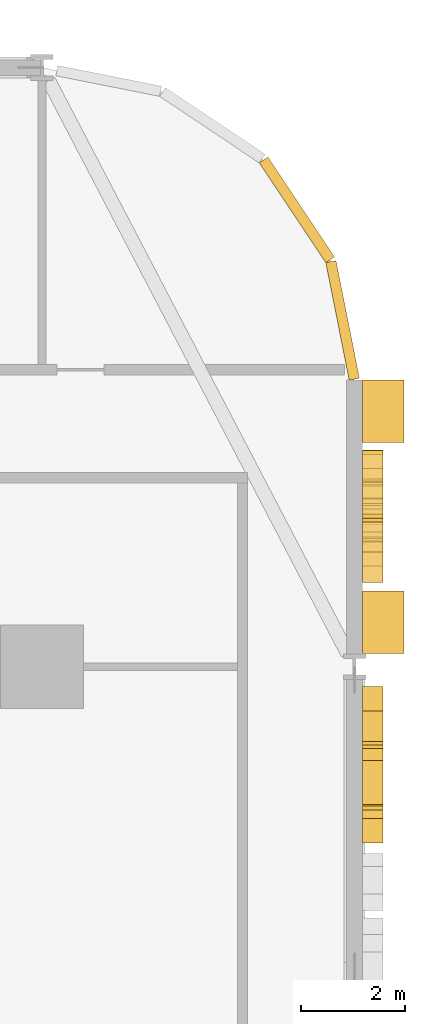
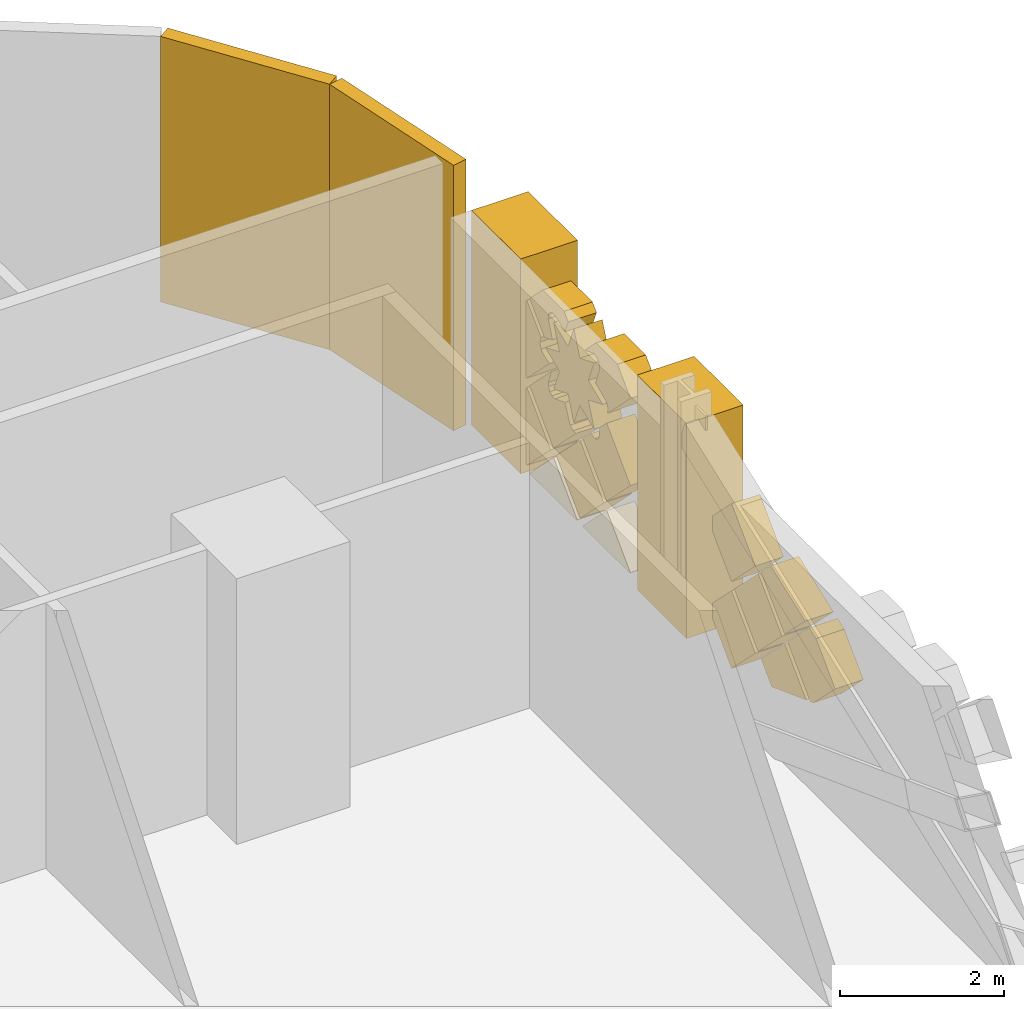
# One storey, part 28 of 28: 20 coverings.
"""IFC4 building model written with IfcOpenShell, lengths in metres."""

from ifc_helpers import new_model, si_unit, direction, frame, origin, origin_2d, place, context, subcontext, project, spatial, polyline, rectangle, outline, extrude, material, layer, layer_set, type_object, element, save


model = new_model("IFC4")

# Units and contexts
model_context = context("Model", 3, precision=1e-05, world=origin(), true_north=direction((0.0, 1.0)))
body_context = subcontext(model_context, "Body", "Model", "MODEL_VIEW")
ifc_project = project(units=[si_unit("LENGTHUNIT", "METRE"), si_unit("AREAUNIT", "SQUARE_METRE"), si_unit("VOLUMEUNIT", "CUBIC_METRE"), si_unit("PLANEANGLEUNIT", "RADIAN"), si_unit("MASSUNIT", "GRAM", prefix="KILO")], contexts=[model_context])

# Site, building, storey
site_placement = place(None, origin())
site = spatial("IfcSite", under=ifc_project, at=site_placement, CompositionType="ELEMENT")
building_placement = place(site_placement, origin())
building = spatial("IfcBuilding", under=site, at=building_placement, Name="Mahtab Terrace Research Tower", CompositionType="ELEMENT")
storey_placement = place(building_placement, frame((0.0, 0.0, 33.0)))
storey = spatial("IfcBuildingStorey", under=building, at=storey_placement, Name="L07", CompositionType="ELEMENT", Elevation=33.0)

# Coverings
ifc_material_1 = material(Name="Black aluminium cladding panel", Category="aluminium")
ifc_layer_1 = layer(ifc_material_1, 0.199951171875)
ifc_layer_set_1 = layer_set([ifc_layer_1], Name="Black metal corner cladding 200")
covering_type_1 = type_object("IfcCoveringType", Name="Black metal corner cladding 200", PredefinedType="CLADDING", material=ifc_layer_set_1)
for number, where, z_axis, x_axis, name in (
    (1, (46.89306640625, 20.26953125, 0.0), (0.0, 0.0, 1.0), (-0.555291490808, 0.831655794326, 0.0), "Corner cladding L07 0"),
    (2, (47.771484375, 18.14794921875, 0.0), (0.0, 0.0, 1.0), (-0.195212442692, 0.980760981187, 0.0), "Corner cladding L07 37"),
):
    element("IfcCovering", number, at=place(storey_placement, frame(where, z_axis=z_axis, x_axis=x_axis)), inside=storey, type_object=covering_type_1, Name=name, PredefinedType="CLADDING", context=body_context, shape_type="SweptSolid", body=[
        extrude(rectangle(XDim=2.30126953125, YDim=0.199951171875, at=origin_2d()), origin(), (0.0, 0.0, 1.0), 3.9599609375),
    ])
ifc_material_2 = material(Name="Bronze anodised aluminium", Category="aluminium")
ifc_layer_2 = layer(ifc_material_2, 0.39990234375)
ifc_layer_set_2 = layer_set([ifc_layer_2], Name="Mashrabiya relief panel 400")
covering_type_2 = type_object("IfcCoveringType", Name="Mashrabiya relief panel 400", PredefinedType="CLADDING", material=ifc_layer_set_2)
covering_1_placement = place(storey_placement, frame((48.14990234375, 8.118896484375, 1.449951171875), z_axis=(-1.0, 0.0, 0.0), x_axis=(0.0, 0.707106781187, 0.707106781187)))
element("IfcCovering", 3, at=covering_1_placement, inside=storey, type_object=covering_type_2, Name="Mashrabiya lattice cell L07 E35.11", PredefinedType="CLADDING", context=body_context, shape_type="SweptSolid", body=[
    extrude(outline(polyline([(0.0, 0.0), (0.6618768064133846, 0.0), (0.8203543516109556, 0.07216079944725995), (0.8203543516109556, 0.8203543516109556), (0.034008797825622494, 0.820181718119455), (0.0001726334915006511, 0.745258782808185), (0.0, 0.0)])), origin(), (0.0, 0.0, -1.0), 0.39990234375),
])
covering_2_placement = place(storey_placement, frame((48.14990234375, 9.34912109375, 1.3798828125), z_axis=(-1.0, 0.0, 0.0), x_axis=(0.0, 0.707106781187, -0.707106781187)))
element("IfcCovering", 4, at=covering_2_placement, inside=storey, type_object=covering_type_2, Name="Mashrabiya lattice cell L07 E35.12", PredefinedType="CLADDING", context=body_context, shape_type="SweptSolid", body=[
    extrude(outline(polyline([(0.0, 0.0), (0.8200090846279543, 0.0), (0.8200090846279543, 0.3663282689643198), (-0.0001726334915005956, 0.7411155790121702), (0.0, 0.0)])), origin(), (0.0, 0.0, -1.0), 0.39990234375),
])
covering_3_placement = place(storey_placement, frame((48.14990234375, 9.928955078125, 2.10009765625), z_axis=(-1.0, 0.0, 0.0), x_axis=(0.0, -0.706957932274, -0.707255598772)))
element("IfcCovering", 5, at=covering_3_placement, inside=storey, type_object=covering_type_2, Name="Mashrabiya lattice cell L07 E35.13", PredefinedType="CLADDING", context=body_context, shape_type="SweptSolid", body=[
    extrude(outline(polyline([(0.0, 0.0), (0.8201817362875763, 0.0), (0.8200337751084942, 0.70296356181895), (-6.932955051291989e-05, 0.3293846944868754), (0.0, 0.0)])), origin(), (0.0, 0.0, -1.0), 0.39990234375),
])
covering_4_placement = place(storey_placement, frame((48.14990234375, 9.9990234375, 2.030029296875), z_axis=(-1.0, 0.0, 0.0), x_axis=(0.0, 0.707106781187, -0.707106781187)))
element("IfcCovering", 6, at=covering_4_placement, inside=storey, type_object=covering_type_2, Name="Mashrabiya lattice cell L07 E35.14", PredefinedType="CLADDING", context=body_context, shape_type="SweptSolid", body=[
    extrude(outline(polyline([(0.0, 0.0), (0.8203543516109556, 0.0), (0.820181718119455, 0.820181718119455), (0.0, 0.8203543516109556), (0.0, 0.0)])), origin(), (0.0, 0.0, -1.0), 0.39990234375),
])
covering_5_placement = place(storey_placement, frame((48.14990234375, 10.64892578125, 0.219970703125), z_axis=(-1.0, 0.0, 0.0), x_axis=(0.0, -0.706957932274, 0.707255598772)))
element("IfcCovering", 7, at=covering_5_placement, inside=storey, type_object=covering_type_2, Name="Mashrabiya lattice cell L07 E35.15", PredefinedType="CLADDING", context=body_context, shape_type="SweptSolid", body=[
    extrude(outline(polyline([(0.0, 0.0), (0.8201817362875763, 0.0), (0.8203543334390104, 0.8200090664636573), (0.16003127941241302, 0.8203206860785415), (0.00013902246344993374, 0.6604957238505165), (0.0, 0.0)])), origin(), (0.0, 0.0, -1.0), 0.39990234375),
])
covering_6_placement = place(storey_placement, frame((48.14990234375, 10.64892578125, 1.52001953125), z_axis=(-1.0, 0.0, 0.0), x_axis=(0.0, -0.706957932274, 0.707255598772)))
element("IfcCovering", 8, at=covering_6_placement, inside=storey, type_object=covering_type_2, Name="Mashrabiya lattice cell L07 E35.16", PredefinedType="CLADDING", context=body_context, shape_type="SweptSolid", body=[
    extrude(outline(polyline([(0.0, 0.0), (0.8201817362875763, 0.0), (0.8203543334390104, 0.8200090664636573), (0.15985860958849407, 0.8201480889271073), (0.00013902246344993374, 0.6604957238505165), (0.0, 0.0)])), origin(), (0.0, 0.0, -1.0), 0.39990234375),
])
covering_7_placement = place(storey_placement, frame((48.14990234375, 14.64404296875, 2.60107421875), z_axis=(-1.0, 0.0, 0.0), x_axis=(0.0, 0.924691461768, 0.380717349925)))
element("IfcCovering", 9, at=covering_7_placement, inside=storey, type_object=covering_type_2, Name="Girih star panel L07 E36.1", PredefinedType="CLADDING", context=body_context, shape_type="SweptSolid", body=[
    extrude(outline(polyline([(0.0, 0.0), (0.3783462161056796, 2.7755575615628914e-17), (0.11208841562376498, 0.2689856047531158), (0.3794805037610448, 0.5359074361332754), (0.001665512373961231, 0.5371822494259442), (0.00134680905079404, 0.9156612717112728), (-0.26732009237915455, 0.6492706650497092), (-0.5342419237593141, 0.9166627531869891), (-0.535516737051983, 0.5388477617999055), (-0.9140887079090707, 0.5387548132281463), (-0.647605152675748, 0.2698621570467897), (-0.9149972408130278, 0.0029403256666300503), (-0.5371822494259442, 0.001665512373961231), (-0.537089300854185, -0.3769064584831264), (-0.26819664467282844, -0.11042290324980375), (-0.0012748132926687916, -0.3778149913870835), (0.0, 0.0)])), origin(), (0.0, 0.0, -1.0), 0.39990234375),
])
covering_8_placement = place(storey_placement, frame((48.14990234375, 13.118896484375, 0.14990234375), z_axis=(-1.0, 0.0, 0.0), x_axis=(0.0, 0.707106781187, 0.707106781187)))
element("IfcCovering", 10, at=covering_8_placement, inside=storey, type_object=covering_type_2, Name="Mashrabiya lattice cell L07 E36.2", PredefinedType="CLADDING", context=body_context, shape_type="SweptSolid", body=[
    extrude(outline(polyline([(0.0, 0.0), (0.8203543516109556, 0.0), (0.8203543516109556, 0.8203543516109556), (0.7991204321563791, 0.820181718119455), (0.00017263349150062335, 0.021233919454576502), (0.0, 0.0)])), origin(), (0.0, 0.0, -1.0), 0.39990234375),
])
covering_9_placement = place(storey_placement, frame((48.14990234375, 14.279052734375, 1.449951171875), z_axis=(-1.0, 0.0, 0.0), x_axis=(0.0, -0.707255598772, -0.706957932274)))
element("IfcCovering", 11, at=covering_9_placement, inside=storey, type_object=covering_type_2, Name="Mashrabiya lattice cell L07 E36.3", PredefinedType="CLADDING", context=body_context, shape_type="SweptSolid", body=[
    extrude(outline(polyline([(0.0, 0.0), (0.8201817362875763, 0.0), (0.8205270032629295, 0.8201816636150915), (0.00017266982391900276, 0.8203543334390104), (0.00011518588843079103, 0.5472481559346933), (0.08417653916049625, 0.4942319794679374), (0.11402400074357985, 0.4080815829473978), (0.08206910977336403, 0.3240157966537586), (5.7483935488156224e-05, 0.27310617750431704), (0.0, 0.0)])), origin(), (0.0, 0.0, -1.0), 0.39990234375),
])
covering_10_placement = place(storey_placement, frame((48.14990234375, 13.118896484375, 2.75), z_axis=(-1.0, 0.0, 0.0), x_axis=(0.0, 0.707106781187, 0.707106781187)))
element("IfcCovering", 12, at=covering_10_placement, inside=storey, type_object=covering_type_2, Name="Mashrabiya lattice cell L07 E36.4", PredefinedType="CLADDING", context=body_context, shape_type="SweptSolid", body=[
    extrude(outline(polyline([(0.0, 0.0), (0.44988287885062084, 0.0), (0.8203543516109556, 0.37047147276033476), (0.8203543516109555, 0.7537178238917155), (0.7276501666751215, 0.5453491996504648), (0.6755148522419337, 0.5056434966053217), (0.6202721349617347, 0.49424968616628073), (0.5572609105640077, 0.5106498678588397), (0.5113404018248422, 0.5524271728019903), (0.40378973661995476, 0.8025731019863915), (0.1294751186254665, 0.6995109075605201), (0.05092687999268347, 0.7228164289131043), (0.0, 0.7892803231408436), (0.0, 0.0)])), origin(), (0.0, 0.0, -1.0), 0.39990234375),
])
covering_11_placement = place(storey_placement, frame((48.14990234375, 14.34912109375, 1.3798828125), z_axis=(-1.0, 0.0, 0.0), x_axis=(0.0, 0.707106781187, -0.707106781187)))
element("IfcCovering", 13, at=covering_11_placement, inside=storey, type_object=covering_type_2, Name="Mashrabiya lattice cell L07 E36.5", PredefinedType="CLADDING", context=body_context, shape_type="SweptSolid", body=[
    extrude(outline(polyline([(0.0, 0.0), (0.8200090846279543, 0.0), (0.820181718119455, 0.820181718119455), (-0.0001726334915006511, 0.820181718119455), (0.0, 0.0)])), origin(), (0.0, 0.0, -1.0), 0.39990234375),
])
covering_12_placement = place(storey_placement, frame((48.14990234375, 14.4189453125, 0.14990234375), z_axis=(-1.0, 0.0, 0.0), x_axis=(0.0, 0.707106781187, 0.707106781187)))
element("IfcCovering", 14, at=covering_12_placement, inside=storey, type_object=covering_type_2, Name="Mashrabiya lattice cell L07 E36.6", PredefinedType="CLADDING", context=body_context, shape_type="SweptSolid", body=[
    extrude(outline(polyline([(0.0, 0.0), (0.8203543516109556, 0.0), (0.8203543516109556, 0.8203543516109556), (0.7991204321563791, 0.820181718119455), (0.00017263349150062335, 0.021233919454576502), (0.0, 0.0)])), origin(), (0.0, 0.0, -1.0), 0.39990234375),
])
covering_13_placement = place(storey_placement, frame((48.14990234375, 15.5791015625, 1.449951171875), z_axis=(-1.0, 0.0, 0.0), x_axis=(0.0, -0.707255598772, -0.706957932274)))
element("IfcCovering", 15, at=covering_13_placement, inside=storey, type_object=covering_type_2, Name="Mashrabiya lattice cell L07 E36.7", PredefinedType="CLADDING", context=body_context, shape_type="SweptSolid", body=[
    extrude(outline(polyline([(0.0, 0.0), (0.8201817362875763, 0.0), (0.8205204627392961, 0.7891076358333108), (0.7695795944213842, 0.7226544622693455), (0.6910264521358248, 0.6993654744233052), (0.4167335329544889, 0.8024854048553962), (0.3091302189167444, 0.5523621186910813), (0.26043849133135283, 0.5092139935923002), (0.20035891270306314, 0.49438015866447393), (0.13579711322887691, 0.5092402283593183), (0.09281896907207673, 0.5453296750080786), (0.0003313138582687336, 0.7538904043472927), (0.0, 0.0)])), origin(), (0.0, 0.0, -1.0), 0.39990234375),
])
covering_14_placement = place(storey_placement, frame((48.14990234375, 15.5791015625, 2.75), z_axis=(-1.0, 0.0, 0.0), x_axis=(0.0, -0.707106781187, -0.707106781187)))
element("IfcCovering", 16, at=covering_14_placement, inside=storey, type_object=covering_type_2, Name="Mashrabiya lattice cell L07 E36.8", PredefinedType="CLADDING", context=body_context, shape_type="SweptSolid", body=[
    extrude(outline(polyline([(0.0, 0.0), (0.5106498678588398, 0.0), (0.5905791744236277, 0.19179580905719104), (0.3402606117477259, 0.29917384077057785), (0.29710223887257037, 0.34785648537375324), (0.2822557586035169, 0.4124214111949859), (0.2971022388725704, 0.4724978662372023), (0.34026061174772587, 0.5211805108403778), (0.5904065409321271, 0.6287311760452652), (0.5106498678588398, 0.8203543516109555), (0.37047147276033476, 0.8203543516109556), (0.0, 0.44988287885062084), (0.0, 0.0)])), origin(), (0.0, 0.0, -1.0), 0.39990234375),
])
covering_15_placement = place(storey_placement, frame((48.14990234375, 15.64892578125, 0.219970703125), z_axis=(-1.0, 0.0, 0.0), x_axis=(0.0, -0.706957932274, 0.707255598772)))
element("IfcCovering", 17, at=covering_15_placement, inside=storey, type_object=covering_type_2, Name="Mashrabiya lattice cell L07 E36.9", PredefinedType="CLADDING", context=body_context, shape_type="SweptSolid", body=[
    extrude(outline(polyline([(0.0, 0.0), (0.8201817362875763, 0.0), (0.8203543334390104, 0.8200090664636573), (0.7977393828896235, 0.8201864599990892), (4.796383997748149e-06, 0.022787620373305846), (0.0, 0.0)])), origin(), (0.0, 0.0, -1.0), 0.39990234375),
])
covering_16_placement = place(storey_placement, frame((48.14990234375, 15.64892578125, 1.52001953125), z_axis=(-1.0, 0.0, 0.0), x_axis=(0.0, -0.707106781187, 0.707106781187)))
element("IfcCovering", 18, at=covering_16_placement, inside=storey, type_object=covering_type_2, Name="Mashrabiya lattice cell L07 E36.10", PredefinedType="CLADDING", context=body_context, shape_type="SweptSolid", body=[
    extrude(outline(polyline([(0.0, 0.0), (0.7692548381267715, 0.0), (0.705553079763042, 0.15692384377406537), (0.7000288080350221, 0.20940442519025443), (0.737490275690657, 0.2920958676190523), (0.820181718119455, 0.3323194711386973), (0.820181718119455, 0.820181718119455), (0.7975667307328734, 0.8203543516109556), (-0.00017263349150062161, 0.022614987386581478), (0.0, 0.0)])), origin(), (0.0, 0.0, -1.0), 0.39990234375),
])
ifc_material_3 = material(Name="Glazed ceramic tile cladding", Category="masonry")
ifc_layer_3 = layer(ifc_material_3, 0.800048828125)
ifc_layer_set_3 = layer_set([ifc_layer_3], Name="Pishtaq frame pier 800")
covering_type_3 = type_object("IfcCoveringType", Name="Pishtaq frame pier 800", PredefinedType="CLADDING", material=ifc_layer_set_3)
for number, where, z_axis, x_axis, name in (
    (19, (48.550048828125, 12.34912109375, 0.00048828125), (0.0, 0.0, 1.0), (0.0, 1.0, 0.0), "Pishtaq frame pier 36a"),
    (20, (48.550048828125, 16.39990234375, 0.00048828125), (0.0, 0.0, 1.0), (0.0, 1.0, 0.0), "Pishtaq frame pier 36b"),
):
    element("IfcCovering", number, at=place(storey_placement, frame(where, z_axis=z_axis, x_axis=x_axis)), inside=storey, type_object=covering_type_3, Name=name, PredefinedType="CLADDING", context=body_context, shape_type="SweptSolid", body=[
        extrude(rectangle(XDim=1.199951171875, YDim=0.800048828125, at=origin_2d()), origin(), (0.0, 0.0, 1.0), 3.202880859375),
    ])

save(model, "model.ifc")
